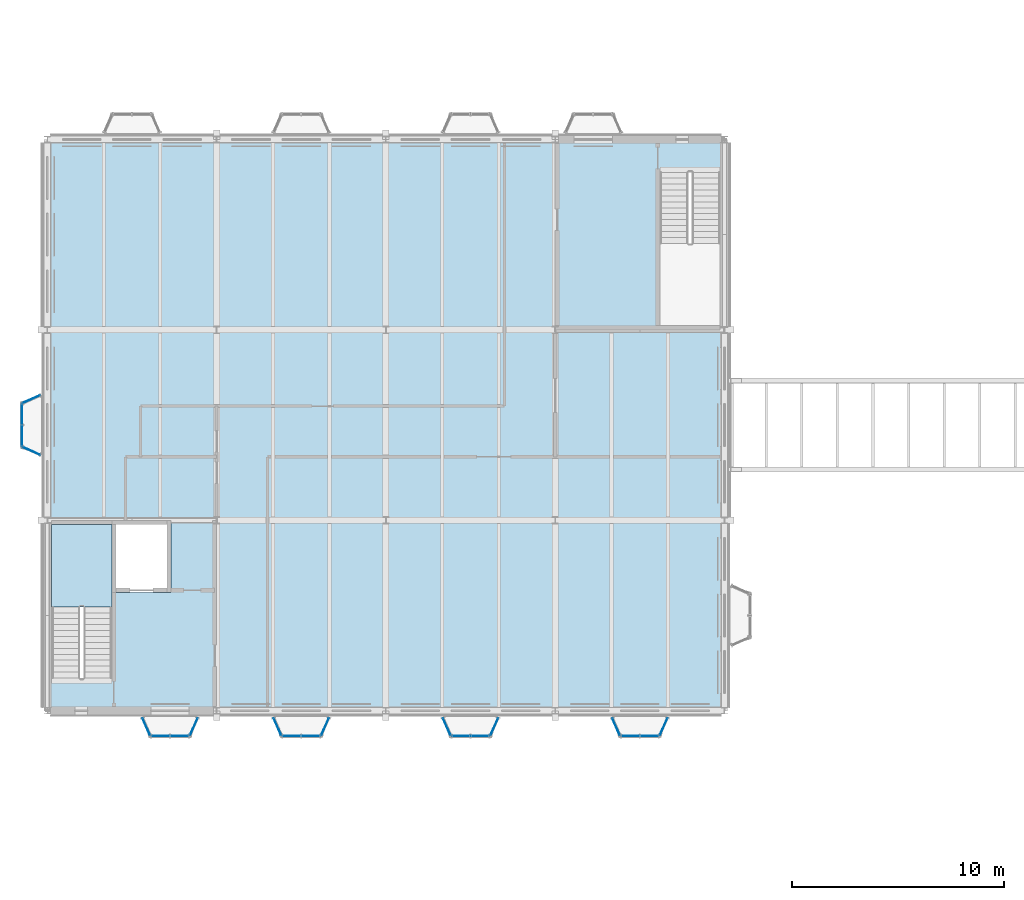
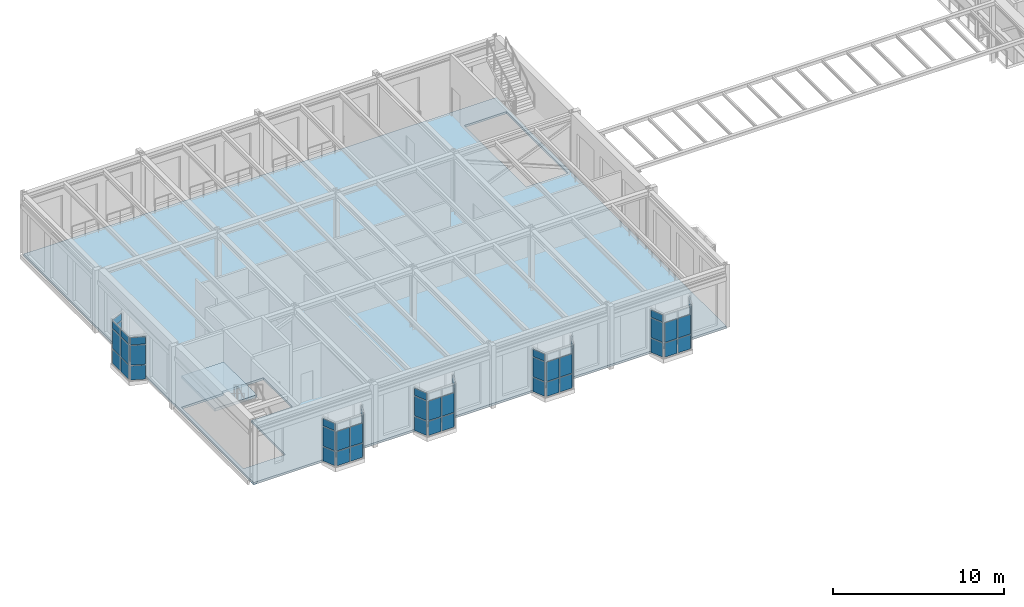
# One storey, part 85 of 153: 52 plates, 2 slabs, 16 elements without a shape of their own.
"""IFC4 building model written with IfcOpenShell, lengths in metres."""

import ifcopenshell
import ifcopenshell.guid

model = None  # the IFC model being written
_history = None  # IfcOwnerHistory: only IFC2X3 demands one
_inside = {}  # id of a spatial element -> (the spatial element, [elements in it])
_under = {}  # id of a project, library or spatial element -> (it, [spatial elements below it])
_declared = {}  # id of a project -> (the project, [libraries it declares])
_typed = {}  # id of a type object -> (the type object, [elements of that type])
_made_of = {}  # id of a material, layer set ... -> (it, [elements and type objects made of it])


def new_model(schema):
    """Start an empty IFC model of exactly this schema.

    Asked for "IFC4X3", IfcOpenShell would pick the latest addendum, in which some entities
    have other attributes; the version numbers below select the first issue.
    IFC2X3 requires an IfcOwnerHistory on every rooted entity: one is made here for all.
    """
    global model, _history
    if schema == "IFC4X3":
        model = ifcopenshell.file(schema_version=(4, 3, 0, 0))
    else:
        model = ifcopenshell.file(schema=schema)
    _inside.clear()
    _under.clear()
    _declared.clear()
    _typed.clear()
    _made_of.clear()
    _history = None
    if model.schema == "IFC2X3":
        org = make("IfcOrganization", Name="unknown")
        user = make(
            "IfcPersonAndOrganization",
            ThePerson=make("IfcPerson", FamilyName="unknown"),
            TheOrganization=org,
        )
        app = make(
            "IfcApplication",
            ApplicationDeveloper=org,
            Version="unknown",
            ApplicationFullName="unknown",
            ApplicationIdentifier="unknown",
        )
        _history = make(
            "IfcOwnerHistory",
            OwningUser=user,
            OwningApplication=app,
            ChangeAction="ADDED",
            CreationDate=0,
        )
    return model


def make(cls, **values):
    """One entity of the class cls with the attributes given. An attribute that is None is left unset."""
    return model.create_entity(
        cls, **{name: value for name, value in values.items() if value is not None}
    )


def rooted(cls, **values):
    """An entity with a GlobalId (a new one), such as an element, a storey or a relation."""
    return make(cls, GlobalId=ifcopenshell.guid.new(), OwnerHistory=_history, **values)


def si_unit(unit_type, name, prefix=None):
    """IfcSIUnit, for example si_unit("LENGTHUNIT", "METRE", prefix="MILLI")."""
    return make("IfcSIUnit", UnitType=unit_type, Prefix=prefix, Name=name)


def assignment(units):
    """IfcUnitAssignment: the units of a project."""
    return None if units is None else make("IfcUnitAssignment", Units=units)


def point(xyz):
    """IfcCartesianPoint."""
    return None if xyz is None else make("IfcCartesianPoint", Coordinates=xyz)


def direction(xyz):
    """IfcDirection."""
    return None if xyz is None else make("IfcDirection", DirectionRatios=xyz)


def frame(location, z_axis=None, x_axis=None):
    """IfcAxis2Placement3D, a coordinate frame: its origin and axes. An axis left out is left unset."""
    return make(
        "IfcAxis2Placement3D",
        Location=point(location),
        Axis=direction(z_axis),
        RefDirection=direction(x_axis),
    )


def frame_2d(location, x_axis=None):
    """IfcAxis2Placement2D, a coordinate frame in the plane: its origin and x axis."""
    return make(
        "IfcAxis2Placement2D", Location=point(location), RefDirection=direction(x_axis)
    )


def origin():
    """The frame at (0, 0, 0) with its axes left unset."""
    return frame((0.0, 0.0, 0.0))


def origin_2d():
    """The frame at (0, 0) in the plane with its x axis left unset."""
    return frame_2d((0.0, 0.0))


def place(relative_to, where):
    """IfcLocalPlacement: puts the frame where relative to a parent placement (None: the world)."""
    return make(
        "IfcLocalPlacement", PlacementRelTo=relative_to, RelativePlacement=where
    )


def context(
    kind, dimensions, precision=None, world=None, true_north=None, identifier=None
):
    """IfcGeometricRepresentationContext, for example the 3D "Model" context."""
    return make(
        "IfcGeometricRepresentationContext",
        ContextIdentifier=identifier,
        ContextType=kind,
        CoordinateSpaceDimension=dimensions,
        Precision=precision,
        WorldCoordinateSystem=world,
        TrueNorth=true_north,
    )


def subcontext(parent, identifier, kind, view, scale=None):
    """IfcGeometricRepresentationSubContext, for example "Body" below "Model"."""
    return make(
        "IfcGeometricRepresentationSubContext",
        ContextIdentifier=identifier,
        ContextType=kind,
        ParentContext=parent,
        TargetScale=scale,
        TargetView=view,
    )


def project(units=None, contexts=None):
    """IfcProject with its units and contexts."""
    return rooted(
        "IfcProject",
        Name="project",
        RepresentationContexts=contexts,
        UnitsInContext=assignment(units),
    )


def spatial(cls, under=None, at=None, **own):
    """A site, building, storey or space (cls), placed at a placement, below another one or the project."""
    s = rooted(cls, ObjectPlacement=at, **own)
    if under is not None:
        _under.setdefault(under.id(), (under, []))[1].append(s)
    return s


def polyline(points):
    """IfcPolyline through the points."""
    return make("IfcPolyline", Points=[point(p) for p in points])


def profile(cls, at=None, kind="AREA", **sizes):
    """A parametric profile (cls). Its sizes go by their IFC names, for example OverallWidth=200.0."""
    return make(cls, ProfileType=kind, Position=at, **sizes)


def rectangle(**sizes):
    """IfcRectangleProfileDef."""
    return profile("IfcRectangleProfileDef", **sizes)


def outline(outer, holes=None, kind="AREA"):
    """IfcArbitraryClosedProfileDef: a profile drawn as a closed curve; with holes, ...WithVoids."""
    if holes is None:
        return make("IfcArbitraryClosedProfileDef", ProfileType=kind, OuterCurve=outer)
    return make(
        "IfcArbitraryProfileDefWithVoids",
        ProfileType=kind,
        OuterCurve=outer,
        InnerCurves=holes,
    )


def extrude(swept, where, along, depth):
    """IfcExtrudedAreaSolid: the profile swept, set in the frame where, extruded along a direction by depth."""
    return make(
        "IfcExtrudedAreaSolid",
        SweptArea=swept,
        Position=where,
        ExtrudedDirection=direction(along),
        Depth=depth,
    )


def shape(context_of_items, identifier, shape_type, items):
    """IfcShapeRepresentation: the items that make up one representation, for example the "Body"."""
    return make(
        "IfcShapeRepresentation",
        ContextOfItems=context_of_items,
        RepresentationIdentifier=identifier,
        RepresentationType=shape_type,
        Items=items,
    )


def material(Name=None, Category=None):
    """IfcMaterial."""
    return make("IfcMaterial", Name=Name, Category=Category)


def layer(
    of_material, thickness, ventilated=None, Name=None, Category=None, Priority=None
):
    """IfcMaterialLayer: one layer of a wall or slab, of a material (None: an air gap)."""
    return make(
        "IfcMaterialLayer",
        Material=of_material,
        LayerThickness=thickness,
        IsVentilated=ventilated,
        Name=Name,
        Category=Category,
        Priority=Priority,
    )


def layer_set(layers, Name=None):
    """IfcMaterialLayerSet."""
    return make("IfcMaterialLayerSet", MaterialLayers=layers, LayerSetName=Name)


def made_of(thing, what):
    """Note that an element or type object is made of a material, layer set ...; save() writes the relation."""
    if what is not None:
        _made_of.setdefault(what.id(), (what, []))[1].append(thing)
    return thing


def type_object(cls, material=None, **own):
    """A type object (cls), such as IfcWallType, which elements share."""
    return made_of(rooted(cls, **own), material)


def element(
    cls,
    number,
    at=None,
    inside=None,
    cuts=None,
    type_object=None,
    material=None,
    context=None,
    identifier="Body",
    shape_type=None,
    held_by="IfcProductDefinitionShape",
    body=None,
    shapes=None,
    **own,
):
    """One element of the class cls, such as IfcWall. Its Tag is "e" and its number.

    at: its placement. inside: the storey or other place that contains it. cuts: it is an
    opening in that element (IfcRelVoidsElement). A single representation is given by context,
    identifier, shape_type and body (its items); several are given by shapes. held_by: the class
    of the entity that holds the representations. save() writes the other relations.
    """
    e = rooted(cls, Tag="e%d" % number, ObjectPlacement=at, **own)
    if body is not None:
        shapes = [shape(context, identifier, shape_type, body)]
    if shapes is not None:
        e.Representation = make(held_by, Representations=shapes)
    if inside is not None:
        _inside.setdefault(inside.id(), (inside, []))[1].append(e)
    if cuts is not None:
        rooted(
            "IfcRelVoidsElement", RelatingBuildingElement=cuts, RelatedOpeningElement=e
        )
    if type_object is not None:
        _typed.setdefault(type_object.id(), (type_object, []))[1].append(e)
    return made_of(e, material)


def aggregate(whole, parts):
    """IfcRelAggregates: a whole, such as a stair, and the parts it consists of."""
    return rooted("IfcRelAggregates", RelatingObject=whole, RelatedObjects=parts)


def save(model, path):
    """Write the relations noted so far, then the file.

    IfcRelAggregates (storeys below a building ...), IfcRelContainedInSpatialStructure (elements
    in a storey), IfcRelDefinesByType, IfcRelAssociatesMaterial and IfcRelDeclares: one each for
    every whole, place, type object, material and project.
    """
    for whole, parts in _under.values():
        aggregate(whole, parts)
    for where, things in _inside.values():
        rooted(
            "IfcRelContainedInSpatialStructure",
            RelatedElements=things,
            RelatingStructure=where,
        )
    for kind, things in _typed.values():
        rooted("IfcRelDefinesByType", RelatedObjects=things, RelatingType=kind)
    for what, things in _made_of.values():
        rooted("IfcRelAssociatesMaterial", RelatedObjects=things, RelatingMaterial=what)
    for by, libraries in _declared.values():
        rooted("IfcRelDeclares", RelatingContext=by, RelatedDefinitions=libraries)
    model.write(path)


model = new_model("IFC4")

# Units and contexts
model_context = context("Model", 3, precision=1e-05, world=origin(), true_north=direction((0.0, 1.0)))
body_context = subcontext(model_context, "Body", "Model", "MODEL_VIEW")
ifc_project = project(units=[si_unit("LENGTHUNIT", "METRE"), si_unit("AREAUNIT", "SQUARE_METRE"), si_unit("VOLUMEUNIT", "CUBIC_METRE"), si_unit("PLANEANGLEUNIT", "RADIAN"), si_unit("MASSUNIT", "GRAM", prefix="KILO")], contexts=[model_context])

# Site, building, storey
site_placement = place(None, origin())
site = spatial("IfcSite", under=ifc_project, at=site_placement, CompositionType="ELEMENT")
building_placement = place(site_placement, origin())
building = spatial("IfcBuilding", under=site, at=building_placement, Name="Kallimachos Central Library", CompositionType="ELEMENT")
storey_placement = place(building_placement, frame((0.0, 0.0, 5.39990234375)))
storey = spatial("IfcBuildingStorey", under=building, at=storey_placement, Name="L01", CompositionType="ELEMENT", Elevation=5.39990234375)

# Slab
ifc_material_1 = material(Name="Composite slab C30/37 on steel deck", Category="concrete")
ifc_layer_1 = layer(ifc_material_1, 0.14990234375)
ifc_layer_set_1 = layer_set([ifc_layer_1], Name="Composite floor slab 150")
slab_type_1 = type_object("IfcSlabType", Name="Composite floor slab 150", PredefinedType="FLOOR", material=ifc_layer_set_1)
slab_1_placement = place(storey_placement, frame((0.0, 0.0, -0.14990234375)))
element("IfcSlab", 1, at=slab_1_placement, inside=storey, type_object=slab_type_1, Name="V2-SLB-L01-001", PredefinedType="FLOOR", context=body_context, shape_type="SweptSolid", body=[
    extrude(outline(polyline([(6.0, 114.0), (38.0, 114.0), (38.0, 87.0), (6.0, 87.0), (6.0, 114.0)]), holes=[polyline([(9.050048828125, 88.553955078125), (9.050048828125, 92.60009765625), (11.85009765625, 92.60009765625), (11.85009765625, 96.0), (9.050048828125, 96.0), (9.050048828125, 95.800048828125), (6.199951171875, 95.800048828125), (6.199951171875, 88.553955078125), (9.050048828125, 88.553955078125)]), polyline([(37.800048828125, 112.446044921875), (34.949951171875, 112.446044921875), (34.949951171875, 105.199951171875), (37.800048828125, 105.199951171875), (37.800048828125, 112.446044921875)])]), origin(), (0.0, 0.0, 1.0), 0.14990234375),
])

# Curtain wall, plates
ifc_material_2 = material(Name="Laminated glass in anodised aluminium", Category="aluminium")
curtain_wall_type = type_object("IfcCurtainWallType", Name="Foyer curtain wall", PredefinedType="NOTDEFINED", material=ifc_material_2)
curtain_wall_1_placement = place(storey_placement, origin())
curtain_wall_1 = element("IfcCurtainWall", 2, at=curtain_wall_1_placement, inside=storey, type_object=curtain_wall_type, Name="Tribune bay return west", PredefinedType="NOTDEFINED")
ifc_material_3 = material(Name="Laminated glass", Category="glass")
ifc_layer_2 = layer(ifc_material_3, 0.028076171875)
ifc_layer_set_2 = layer_set([ifc_layer_2], Name="Curtain wall glass panel 28")
plate_type = type_object("IfcPlateType", Name="Curtain wall glass panel 28", PredefinedType="CURTAIN_PANEL", material=ifc_layer_set_2)
plate_1_placement = place(storey_placement, frame((10.675048828125, 86.25, 0.2099609375), z_axis=(0.0, 0.0, 1.0), x_axis=(0.40613846606, -0.913811548617, 0.0)))
plate_1 = element("IfcPlate", 3, at=plate_1_placement, type_object=plate_type, Name="CW panel 1.1", PredefinedType="CURTAIN_PANEL", context=body_context, shape_type="SweptSolid", body=[
    extrude(rectangle(XDim=0.864990234375, YDim=0.028076171875, at=origin_2d()), origin(), (0.0, 0.0, 1.0), 1.010009765625),
])
plate_2_placement = place(storey_placement, frame((10.675048828125, 86.25, 1.2802734375), z_axis=(0.0, 0.0, 1.0), x_axis=(0.40613846606, -0.913811548617, 0.0)))
plate_2 = element("IfcPlate", 4, at=plate_2_placement, type_object=plate_type, Name="CW panel 1.2", PredefinedType="CURTAIN_PANEL", context=body_context, shape_type="SweptSolid", body=[
    extrude(rectangle(XDim=0.864990234375, YDim=0.028076171875, at=origin_2d()), origin(), (0.0, 0.0, 1.0), 1.389892578125),
])
plate_3_placement = place(storey_placement, frame((10.675048828125, 86.25, 2.72998046875), z_axis=(0.0, 0.0, 1.0), x_axis=(0.40613846606, -0.913811548617, 0.0)))
plate_3 = element("IfcPlate", 5, at=plate_3_placement, type_object=plate_type, Name="CW panel 1.3", PredefinedType="CURTAIN_PANEL", context=body_context, shape_type="SweptSolid", body=[
    extrude(rectangle(XDim=0.864990234375, YDim=0.028076171875, at=origin_2d()), origin(), (0.0, 0.0, 1.0), 0.510009765625),
])
aggregate(curtain_wall_1, [plate_1, plate_2, plate_3])

curtain_wall_2_placement = place(storey_placement, origin())
curtain_wall_2 = element("IfcCurtainWall", 6, at=curtain_wall_2_placement, inside=storey, type_object=curtain_wall_type, Name="Tribune bay front", PredefinedType="NOTDEFINED")
plate_4_placement = place(storey_placement, frame((11.3525390625, 85.800048828125, 0.2099609375), z_axis=(0.0, 0.0, 1.0), x_axis=(1.0, 0.0, 0.0)))
plate_4 = element("IfcPlate", 7, at=plate_4_placement, type_object=plate_type, Name="CW panel 1.1", PredefinedType="CURTAIN_PANEL", context=body_context, shape_type="SweptSolid", body=[
    extrude(rectangle(XDim=0.8349609375, YDim=0.028076171875, at=origin_2d()), origin(), (0.0, 0.0, 1.0), 1.010009765625),
])
plate_5_placement = place(storey_placement, frame((11.3525390625, 85.800048828125, 1.2802734375), z_axis=(0.0, 0.0, 1.0), x_axis=(1.0, 0.0, 0.0)))
plate_5 = element("IfcPlate", 8, at=plate_5_placement, type_object=plate_type, Name="CW panel 1.2", PredefinedType="CURTAIN_PANEL", context=body_context, shape_type="SweptSolid", body=[
    extrude(rectangle(XDim=0.8349609375, YDim=0.028076171875, at=origin_2d()), origin(), (0.0, 0.0, 1.0), 1.389892578125),
])
plate_6_placement = place(storey_placement, frame((12.24755859375, 85.800048828125, 0.2099609375), z_axis=(0.0, 0.0, 1.0), x_axis=(1.0, 0.0, 0.0)))
plate_6 = element("IfcPlate", 9, at=plate_6_placement, type_object=plate_type, Name="CW panel 2.1", PredefinedType="CURTAIN_PANEL", context=body_context, shape_type="SweptSolid", body=[
    extrude(rectangle(XDim=0.8349609375, YDim=0.028076171875, at=origin_2d()), origin(), (0.0, 0.0, 1.0), 1.010009765625),
])
plate_7_placement = place(storey_placement, frame((12.24755859375, 85.800048828125, 1.2802734375), z_axis=(0.0, 0.0, 1.0), x_axis=(1.0, 0.0, 0.0)))
plate_7 = element("IfcPlate", 10, at=plate_7_placement, type_object=plate_type, Name="CW panel 2.2", PredefinedType="CURTAIN_PANEL", context=body_context, shape_type="SweptSolid", body=[
    extrude(rectangle(XDim=0.8349609375, YDim=0.028076171875, at=origin_2d()), origin(), (0.0, 0.0, 1.0), 1.389892578125),
])
aggregate(curtain_wall_2, [plate_4, plate_5, plate_6, plate_7])

curtain_wall_3_placement = place(storey_placement, origin())
curtain_wall_3 = element("IfcCurtainWall", 11, at=curtain_wall_3_placement, inside=storey, type_object=curtain_wall_type, Name="Tribune bay return east", PredefinedType="NOTDEFINED")
plate_8_placement = place(storey_placement, frame((12.925048828125, 86.25, 0.2099609375), z_axis=(0.0, 0.0, 1.0), x_axis=(0.40613846606, 0.913811548617, 0.0)))
plate_8 = element("IfcPlate", 12, at=plate_8_placement, type_object=plate_type, Name="CW panel 1.1", PredefinedType="CURTAIN_PANEL", context=body_context, shape_type="SweptSolid", body=[
    extrude(rectangle(XDim=0.864990234375, YDim=0.028076171875, at=origin_2d()), origin(), (0.0, 0.0, 1.0), 1.010009765625),
])
plate_9_placement = place(storey_placement, frame((12.925048828125, 86.25, 1.2802734375), z_axis=(0.0, 0.0, 1.0), x_axis=(0.40613846606, 0.913811548617, 0.0)))
plate_9 = element("IfcPlate", 13, at=plate_9_placement, type_object=plate_type, Name="CW panel 1.2", PredefinedType="CURTAIN_PANEL", context=body_context, shape_type="SweptSolid", body=[
    extrude(rectangle(XDim=0.864990234375, YDim=0.028076171875, at=origin_2d()), origin(), (0.0, 0.0, 1.0), 1.389892578125),
])
plate_10_placement = place(storey_placement, frame((12.925048828125, 86.25, 2.72998046875), z_axis=(0.0, 0.0, 1.0), x_axis=(0.40613846606, 0.913811548617, 0.0)))
plate_10 = element("IfcPlate", 14, at=plate_10_placement, type_object=plate_type, Name="CW panel 1.3", PredefinedType="CURTAIN_PANEL", context=body_context, shape_type="SweptSolid", body=[
    extrude(rectangle(XDim=0.864990234375, YDim=0.028076171875, at=origin_2d()), origin(), (0.0, 0.0, 1.0), 0.510009765625),
])
aggregate(curtain_wall_3, [plate_8, plate_9, plate_10])

curtain_wall_4_placement = place(storey_placement, origin())
curtain_wall_4 = element("IfcCurtainWall", 15, at=curtain_wall_4_placement, inside=storey, type_object=curtain_wall_type, Name="Tribune bay return west", PredefinedType="NOTDEFINED")
plate_11_placement = place(storey_placement, frame((16.875, 86.25, 0.2099609375), z_axis=(0.0, 0.0, 1.0), x_axis=(0.40613846606, -0.913811548617, 0.0)))
plate_11 = element("IfcPlate", 16, at=plate_11_placement, type_object=plate_type, Name="CW panel 1.1", PredefinedType="CURTAIN_PANEL", context=body_context, shape_type="SweptSolid", body=[
    extrude(rectangle(XDim=0.864990234375, YDim=0.028076171875, at=origin_2d()), origin(), (0.0, 0.0, 1.0), 1.010009765625),
])
plate_12_placement = place(storey_placement, frame((16.875, 86.25, 1.2802734375), z_axis=(0.0, 0.0, 1.0), x_axis=(0.40613846606, -0.913811548617, 0.0)))
plate_12 = element("IfcPlate", 17, at=plate_12_placement, type_object=plate_type, Name="CW panel 1.2", PredefinedType="CURTAIN_PANEL", context=body_context, shape_type="SweptSolid", body=[
    extrude(rectangle(XDim=0.864990234375, YDim=0.028076171875, at=origin_2d()), origin(), (0.0, 0.0, 1.0), 1.389892578125),
])
plate_13_placement = place(storey_placement, frame((16.875, 86.25, 2.72998046875), z_axis=(0.0, 0.0, 1.0), x_axis=(0.40613846606, -0.913811548617, 0.0)))
plate_13 = element("IfcPlate", 18, at=plate_13_placement, type_object=plate_type, Name="CW panel 1.3", PredefinedType="CURTAIN_PANEL", context=body_context, shape_type="SweptSolid", body=[
    extrude(rectangle(XDim=0.864990234375, YDim=0.028076171875, at=origin_2d()), origin(), (0.0, 0.0, 1.0), 0.510009765625),
])
aggregate(curtain_wall_4, [plate_11, plate_12, plate_13])

curtain_wall_5_placement = place(storey_placement, origin())
curtain_wall_5 = element("IfcCurtainWall", 19, at=curtain_wall_5_placement, inside=storey, type_object=curtain_wall_type, Name="Tribune bay front", PredefinedType="NOTDEFINED")
plate_14_placement = place(storey_placement, frame((17.552490234375, 85.800048828125, 0.2099609375), z_axis=(0.0, 0.0, 1.0), x_axis=(1.0, 0.0, 0.0)))
plate_14 = element("IfcPlate", 20, at=plate_14_placement, type_object=plate_type, Name="CW panel 1.1", PredefinedType="CURTAIN_PANEL", context=body_context, shape_type="SweptSolid", body=[
    extrude(rectangle(XDim=0.8349609375, YDim=0.028076171875, at=origin_2d()), origin(), (0.0, 0.0, 1.0), 1.010009765625),
])
plate_15_placement = place(storey_placement, frame((17.552490234375, 85.800048828125, 1.2802734375), z_axis=(0.0, 0.0, 1.0), x_axis=(1.0, 0.0, 0.0)))
plate_15 = element("IfcPlate", 21, at=plate_15_placement, type_object=plate_type, Name="CW panel 1.2", PredefinedType="CURTAIN_PANEL", context=body_context, shape_type="SweptSolid", body=[
    extrude(rectangle(XDim=0.8349609375, YDim=0.028076171875, at=origin_2d()), origin(), (0.0, 0.0, 1.0), 1.389892578125),
])
plate_16_placement = place(storey_placement, frame((18.447509765625, 85.800048828125, 0.2099609375), z_axis=(0.0, 0.0, 1.0), x_axis=(1.0, 0.0, 0.0)))
plate_16 = element("IfcPlate", 22, at=plate_16_placement, type_object=plate_type, Name="CW panel 2.1", PredefinedType="CURTAIN_PANEL", context=body_context, shape_type="SweptSolid", body=[
    extrude(rectangle(XDim=0.8349609375, YDim=0.028076171875, at=origin_2d()), origin(), (0.0, 0.0, 1.0), 1.010009765625),
])
plate_17_placement = place(storey_placement, frame((18.447509765625, 85.800048828125, 1.2802734375), z_axis=(0.0, 0.0, 1.0), x_axis=(1.0, 0.0, 0.0)))
plate_17 = element("IfcPlate", 23, at=plate_17_placement, type_object=plate_type, Name="CW panel 2.2", PredefinedType="CURTAIN_PANEL", context=body_context, shape_type="SweptSolid", body=[
    extrude(rectangle(XDim=0.8349609375, YDim=0.028076171875, at=origin_2d()), origin(), (0.0, 0.0, 1.0), 1.389892578125),
])
aggregate(curtain_wall_5, [plate_14, plate_15, plate_16, plate_17])

curtain_wall_6_placement = place(storey_placement, origin())
curtain_wall_6 = element("IfcCurtainWall", 24, at=curtain_wall_6_placement, inside=storey, type_object=curtain_wall_type, Name="Tribune bay return east", PredefinedType="NOTDEFINED")
plate_18_placement = place(storey_placement, frame((19.125, 86.25, 0.2099609375), z_axis=(0.0, 0.0, 1.0), x_axis=(0.40613846606, 0.913811548617, 0.0)))
plate_18 = element("IfcPlate", 25, at=plate_18_placement, type_object=plate_type, Name="CW panel 1.1", PredefinedType="CURTAIN_PANEL", context=body_context, shape_type="SweptSolid", body=[
    extrude(rectangle(XDim=0.864990234375, YDim=0.028076171875, at=origin_2d()), origin(), (0.0, 0.0, 1.0), 1.010009765625),
])
plate_19_placement = place(storey_placement, frame((19.125, 86.25, 1.2802734375), z_axis=(0.0, 0.0, 1.0), x_axis=(0.40613846606, 0.913811548617, 0.0)))
plate_19 = element("IfcPlate", 26, at=plate_19_placement, type_object=plate_type, Name="CW panel 1.2", PredefinedType="CURTAIN_PANEL", context=body_context, shape_type="SweptSolid", body=[
    extrude(rectangle(XDim=0.864990234375, YDim=0.028076171875, at=origin_2d()), origin(), (0.0, 0.0, 1.0), 1.389892578125),
])
plate_20_placement = place(storey_placement, frame((19.125, 86.25, 2.72998046875), z_axis=(0.0, 0.0, 1.0), x_axis=(0.40613846606, 0.913811548617, 0.0)))
plate_20 = element("IfcPlate", 27, at=plate_20_placement, type_object=plate_type, Name="CW panel 1.3", PredefinedType="CURTAIN_PANEL", context=body_context, shape_type="SweptSolid", body=[
    extrude(rectangle(XDim=0.864990234375, YDim=0.028076171875, at=origin_2d()), origin(), (0.0, 0.0, 1.0), 0.510009765625),
])
aggregate(curtain_wall_6, [plate_18, plate_19, plate_20])

curtain_wall_7_placement = place(storey_placement, origin())
curtain_wall_7 = element("IfcCurtainWall", 28, at=curtain_wall_7_placement, inside=storey, type_object=curtain_wall_type, Name="Tribune bay return west", PredefinedType="NOTDEFINED")
plate_21_placement = place(storey_placement, frame((24.875, 86.25, 0.2099609375), z_axis=(0.0, 0.0, 1.0), x_axis=(0.40613846606, -0.913811548617, 0.0)))
plate_21 = element("IfcPlate", 29, at=plate_21_placement, type_object=plate_type, Name="CW panel 1.1", PredefinedType="CURTAIN_PANEL", context=body_context, shape_type="SweptSolid", body=[
    extrude(rectangle(XDim=0.864990234375, YDim=0.028076171875, at=origin_2d()), origin(), (0.0, 0.0, 1.0), 1.010009765625),
])
plate_22_placement = place(storey_placement, frame((24.875, 86.25, 1.2802734375), z_axis=(0.0, 0.0, 1.0), x_axis=(0.40613846606, -0.913811548617, 0.0)))
plate_22 = element("IfcPlate", 30, at=plate_22_placement, type_object=plate_type, Name="CW panel 1.2", PredefinedType="CURTAIN_PANEL", context=body_context, shape_type="SweptSolid", body=[
    extrude(rectangle(XDim=0.864990234375, YDim=0.028076171875, at=origin_2d()), origin(), (0.0, 0.0, 1.0), 1.389892578125),
])
plate_23_placement = place(storey_placement, frame((24.875, 86.25, 2.72998046875), z_axis=(0.0, 0.0, 1.0), x_axis=(0.40613846606, -0.913811548617, 0.0)))
plate_23 = element("IfcPlate", 31, at=plate_23_placement, type_object=plate_type, Name="CW panel 1.3", PredefinedType="CURTAIN_PANEL", context=body_context, shape_type="SweptSolid", body=[
    extrude(rectangle(XDim=0.864990234375, YDim=0.028076171875, at=origin_2d()), origin(), (0.0, 0.0, 1.0), 0.510009765625),
])
aggregate(curtain_wall_7, [plate_21, plate_22, plate_23])

curtain_wall_8_placement = place(storey_placement, origin())
curtain_wall_8 = element("IfcCurtainWall", 32, at=curtain_wall_8_placement, inside=storey, type_object=curtain_wall_type, Name="Tribune bay front", PredefinedType="NOTDEFINED")
plate_24_placement = place(storey_placement, frame((25.552490234375, 85.800048828125, 0.2099609375), z_axis=(0.0, 0.0, 1.0), x_axis=(1.0, 0.0, 0.0)))
plate_24 = element("IfcPlate", 33, at=plate_24_placement, type_object=plate_type, Name="CW panel 1.1", PredefinedType="CURTAIN_PANEL", context=body_context, shape_type="SweptSolid", body=[
    extrude(rectangle(XDim=0.8349609375, YDim=0.028076171875, at=origin_2d()), origin(), (0.0, 0.0, 1.0), 1.010009765625),
])
plate_25_placement = place(storey_placement, frame((25.552490234375, 85.800048828125, 1.2802734375), z_axis=(0.0, 0.0, 1.0), x_axis=(1.0, 0.0, 0.0)))
plate_25 = element("IfcPlate", 34, at=plate_25_placement, type_object=plate_type, Name="CW panel 1.2", PredefinedType="CURTAIN_PANEL", context=body_context, shape_type="SweptSolid", body=[
    extrude(rectangle(XDim=0.8349609375, YDim=0.028076171875, at=origin_2d()), origin(), (0.0, 0.0, 1.0), 1.389892578125),
])
plate_26_placement = place(storey_placement, frame((26.447509765625, 85.800048828125, 0.2099609375), z_axis=(0.0, 0.0, 1.0), x_axis=(1.0, 0.0, 0.0)))
plate_26 = element("IfcPlate", 35, at=plate_26_placement, type_object=plate_type, Name="CW panel 2.1", PredefinedType="CURTAIN_PANEL", context=body_context, shape_type="SweptSolid", body=[
    extrude(rectangle(XDim=0.8349609375, YDim=0.028076171875, at=origin_2d()), origin(), (0.0, 0.0, 1.0), 1.010009765625),
])
plate_27_placement = place(storey_placement, frame((26.447509765625, 85.800048828125, 1.2802734375), z_axis=(0.0, 0.0, 1.0), x_axis=(1.0, 0.0, 0.0)))
plate_27 = element("IfcPlate", 36, at=plate_27_placement, type_object=plate_type, Name="CW panel 2.2", PredefinedType="CURTAIN_PANEL", context=body_context, shape_type="SweptSolid", body=[
    extrude(rectangle(XDim=0.8349609375, YDim=0.028076171875, at=origin_2d()), origin(), (0.0, 0.0, 1.0), 1.389892578125),
])
aggregate(curtain_wall_8, [plate_24, plate_25, plate_26, plate_27])

curtain_wall_9_placement = place(storey_placement, origin())
curtain_wall_9 = element("IfcCurtainWall", 37, at=curtain_wall_9_placement, inside=storey, type_object=curtain_wall_type, Name="Tribune bay return east", PredefinedType="NOTDEFINED")
plate_28_placement = place(storey_placement, frame((27.125, 86.25, 0.2099609375), z_axis=(0.0, 0.0, 1.0), x_axis=(0.40613846606, 0.913811548617, 0.0)))
plate_28 = element("IfcPlate", 38, at=plate_28_placement, type_object=plate_type, Name="CW panel 1.1", PredefinedType="CURTAIN_PANEL", context=body_context, shape_type="SweptSolid", body=[
    extrude(rectangle(XDim=0.864990234375, YDim=0.028076171875, at=origin_2d()), origin(), (0.0, 0.0, 1.0), 1.010009765625),
])
plate_29_placement = place(storey_placement, frame((27.125, 86.25, 1.2802734375), z_axis=(0.0, 0.0, 1.0), x_axis=(0.40613846606, 0.913811548617, 0.0)))
plate_29 = element("IfcPlate", 39, at=plate_29_placement, type_object=plate_type, Name="CW panel 1.2", PredefinedType="CURTAIN_PANEL", context=body_context, shape_type="SweptSolid", body=[
    extrude(rectangle(XDim=0.864990234375, YDim=0.028076171875, at=origin_2d()), origin(), (0.0, 0.0, 1.0), 1.389892578125),
])
plate_30_placement = place(storey_placement, frame((27.125, 86.25, 2.72998046875), z_axis=(0.0, 0.0, 1.0), x_axis=(0.40613846606, 0.913811548617, 0.0)))
plate_30 = element("IfcPlate", 40, at=plate_30_placement, type_object=plate_type, Name="CW panel 1.3", PredefinedType="CURTAIN_PANEL", context=body_context, shape_type="SweptSolid", body=[
    extrude(rectangle(XDim=0.864990234375, YDim=0.028076171875, at=origin_2d()), origin(), (0.0, 0.0, 1.0), 0.510009765625),
])
aggregate(curtain_wall_9, [plate_28, plate_29, plate_30])

curtain_wall_10_placement = place(storey_placement, origin())
curtain_wall_10 = element("IfcCurtainWall", 41, at=curtain_wall_10_placement, inside=storey, type_object=curtain_wall_type, Name="Tribune bay return west", PredefinedType="NOTDEFINED")
plate_31_placement = place(storey_placement, frame((32.875, 86.25, 0.2099609375), z_axis=(0.0, 0.0, 1.0), x_axis=(0.40613846606, -0.913811548617, 0.0)))
plate_31 = element("IfcPlate", 42, at=plate_31_placement, type_object=plate_type, Name="CW panel 1.1", PredefinedType="CURTAIN_PANEL", context=body_context, shape_type="SweptSolid", body=[
    extrude(rectangle(XDim=0.864990234375, YDim=0.028076171875, at=origin_2d()), origin(), (0.0, 0.0, 1.0), 1.010009765625),
])
plate_32_placement = place(storey_placement, frame((32.875, 86.25, 1.2802734375), z_axis=(0.0, 0.0, 1.0), x_axis=(0.40613846606, -0.913811548617, 0.0)))
plate_32 = element("IfcPlate", 43, at=plate_32_placement, type_object=plate_type, Name="CW panel 1.2", PredefinedType="CURTAIN_PANEL", context=body_context, shape_type="SweptSolid", body=[
    extrude(rectangle(XDim=0.864990234375, YDim=0.028076171875, at=origin_2d()), origin(), (0.0, 0.0, 1.0), 1.389892578125),
])
plate_33_placement = place(storey_placement, frame((32.875, 86.25, 2.72998046875), z_axis=(0.0, 0.0, 1.0), x_axis=(0.40613846606, -0.913811548617, 0.0)))
plate_33 = element("IfcPlate", 44, at=plate_33_placement, type_object=plate_type, Name="CW panel 1.3", PredefinedType="CURTAIN_PANEL", context=body_context, shape_type="SweptSolid", body=[
    extrude(rectangle(XDim=0.864990234375, YDim=0.028076171875, at=origin_2d()), origin(), (0.0, 0.0, 1.0), 0.510009765625),
])
aggregate(curtain_wall_10, [plate_31, plate_32, plate_33])

curtain_wall_11_placement = place(storey_placement, origin())
curtain_wall_11 = element("IfcCurtainWall", 45, at=curtain_wall_11_placement, inside=storey, type_object=curtain_wall_type, Name="Tribune bay front", PredefinedType="NOTDEFINED")
plate_34_placement = place(storey_placement, frame((33.552490234375, 85.800048828125, 0.2099609375), z_axis=(0.0, 0.0, 1.0), x_axis=(1.0, 0.0, 0.0)))
plate_34 = element("IfcPlate", 46, at=plate_34_placement, type_object=plate_type, Name="CW panel 1.1", PredefinedType="CURTAIN_PANEL", context=body_context, shape_type="SweptSolid", body=[
    extrude(rectangle(XDim=0.8349609375, YDim=0.028076171875, at=origin_2d()), origin(), (0.0, 0.0, 1.0), 1.010009765625),
])
plate_35_placement = place(storey_placement, frame((33.552490234375, 85.800048828125, 1.2802734375), z_axis=(0.0, 0.0, 1.0), x_axis=(1.0, 0.0, 0.0)))
plate_35 = element("IfcPlate", 47, at=plate_35_placement, type_object=plate_type, Name="CW panel 1.2", PredefinedType="CURTAIN_PANEL", context=body_context, shape_type="SweptSolid", body=[
    extrude(rectangle(XDim=0.8349609375, YDim=0.028076171875, at=origin_2d()), origin(), (0.0, 0.0, 1.0), 1.389892578125),
])
plate_36_placement = place(storey_placement, frame((34.447509765625, 85.800048828125, 0.2099609375), z_axis=(0.0, 0.0, 1.0), x_axis=(1.0, 0.0, 0.0)))
plate_36 = element("IfcPlate", 48, at=plate_36_placement, type_object=plate_type, Name="CW panel 2.1", PredefinedType="CURTAIN_PANEL", context=body_context, shape_type="SweptSolid", body=[
    extrude(rectangle(XDim=0.8349609375, YDim=0.028076171875, at=origin_2d()), origin(), (0.0, 0.0, 1.0), 1.010009765625),
])
plate_37_placement = place(storey_placement, frame((34.447509765625, 85.800048828125, 1.2802734375), z_axis=(0.0, 0.0, 1.0), x_axis=(1.0, 0.0, 0.0)))
plate_37 = element("IfcPlate", 49, at=plate_37_placement, type_object=plate_type, Name="CW panel 2.2", PredefinedType="CURTAIN_PANEL", context=body_context, shape_type="SweptSolid", body=[
    extrude(rectangle(XDim=0.8349609375, YDim=0.028076171875, at=origin_2d()), origin(), (0.0, 0.0, 1.0), 1.389892578125),
])
aggregate(curtain_wall_11, [plate_34, plate_35, plate_36, plate_37])

curtain_wall_12_placement = place(storey_placement, origin())
curtain_wall_12 = element("IfcCurtainWall", 50, at=curtain_wall_12_placement, inside=storey, type_object=curtain_wall_type, Name="Tribune bay return east", PredefinedType="NOTDEFINED")
plate_38_placement = place(storey_placement, frame((35.125, 86.25, 0.2099609375), z_axis=(0.0, 0.0, 1.0), x_axis=(0.40613846606, 0.913811548617, 0.0)))
plate_38 = element("IfcPlate", 51, at=plate_38_placement, type_object=plate_type, Name="CW panel 1.1", PredefinedType="CURTAIN_PANEL", context=body_context, shape_type="SweptSolid", body=[
    extrude(rectangle(XDim=0.864990234375, YDim=0.028076171875, at=origin_2d()), origin(), (0.0, 0.0, 1.0), 1.010009765625),
])
plate_39_placement = place(storey_placement, frame((35.125, 86.25, 1.2802734375), z_axis=(0.0, 0.0, 1.0), x_axis=(0.40613846606, 0.913811548617, 0.0)))
plate_39 = element("IfcPlate", 52, at=plate_39_placement, type_object=plate_type, Name="CW panel 1.2", PredefinedType="CURTAIN_PANEL", context=body_context, shape_type="SweptSolid", body=[
    extrude(rectangle(XDim=0.864990234375, YDim=0.028076171875, at=origin_2d()), origin(), (0.0, 0.0, 1.0), 1.389892578125),
])
plate_40_placement = place(storey_placement, frame((35.125, 86.25, 2.72998046875), z_axis=(0.0, 0.0, 1.0), x_axis=(0.40613846606, 0.913811548617, 0.0)))
plate_40 = element("IfcPlate", 53, at=plate_40_placement, type_object=plate_type, Name="CW panel 1.3", PredefinedType="CURTAIN_PANEL", context=body_context, shape_type="SweptSolid", body=[
    extrude(rectangle(XDim=0.864990234375, YDim=0.028076171875, at=origin_2d()), origin(), (0.0, 0.0, 1.0), 0.510009765625),
])
aggregate(curtain_wall_12, [plate_38, plate_39, plate_40])

curtain_wall_13_placement = place(storey_placement, origin())
curtain_wall_13 = element("IfcCurtainWall", 54, at=curtain_wall_13_placement, inside=storey, type_object=curtain_wall_type, Name="Tribune bay return west", PredefinedType="NOTDEFINED")
plate_41_placement = place(storey_placement, frame((5.25, 99.27490234375, 0.2099609375), z_axis=(0.0, 0.0, 1.0), x_axis=(-0.913811548617, 0.40613846606, 0.0)))
plate_41 = element("IfcPlate", 55, at=plate_41_placement, type_object=plate_type, Name="CW panel 1.1", PredefinedType="CURTAIN_PANEL", context=body_context, shape_type="SweptSolid", body=[
    extrude(rectangle(XDim=0.864990234375, YDim=0.028076171875, at=origin_2d()), origin(), (0.0, 0.0, 1.0), 1.010009765625),
])
plate_42_placement = place(storey_placement, frame((5.25, 99.27490234375, 1.2802734375), z_axis=(0.0, 0.0, 1.0), x_axis=(-0.913811548617, 0.40613846606, 0.0)))
plate_42 = element("IfcPlate", 56, at=plate_42_placement, type_object=plate_type, Name="CW panel 1.2", PredefinedType="CURTAIN_PANEL", context=body_context, shape_type="SweptSolid", body=[
    extrude(rectangle(XDim=0.864990234375, YDim=0.028076171875, at=origin_2d()), origin(), (0.0, 0.0, 1.0), 1.389892578125),
])
plate_43_placement = place(storey_placement, frame((5.25, 99.27490234375, 2.72998046875), z_axis=(0.0, 0.0, 1.0), x_axis=(-0.913811548617, 0.40613846606, 0.0)))
plate_43 = element("IfcPlate", 57, at=plate_43_placement, type_object=plate_type, Name="CW panel 1.3", PredefinedType="CURTAIN_PANEL", context=body_context, shape_type="SweptSolid", body=[
    extrude(rectangle(XDim=0.864990234375, YDim=0.028076171875, at=origin_2d()), origin(), (0.0, 0.0, 1.0), 0.510009765625),
])
aggregate(curtain_wall_13, [plate_41, plate_42, plate_43])

curtain_wall_14_placement = place(storey_placement, origin())
curtain_wall_14 = element("IfcCurtainWall", 58, at=curtain_wall_14_placement, inside=storey, type_object=curtain_wall_type, Name="Tribune bay front", PredefinedType="NOTDEFINED")
plate_44_placement = place(storey_placement, frame((4.800048828125, 100.00244140625, 0.2099609375), z_axis=(0.0, 0.0, 1.0), x_axis=(0.0, 1.0, 0.0)))
plate_44 = element("IfcPlate", 59, at=plate_44_placement, type_object=plate_type, Name="CW panel 1.1", PredefinedType="CURTAIN_PANEL", context=body_context, shape_type="SweptSolid", body=[
    extrude(rectangle(XDim=0.93505859375, YDim=0.028076171875, at=origin_2d()), origin(), (0.0, 0.0, 1.0), 1.010009765625),
])
plate_45_placement = place(storey_placement, frame((4.800048828125, 100.00244140625, 1.2802734375), z_axis=(0.0, 0.0, 1.0), x_axis=(0.0, 1.0, 0.0)))
plate_45 = element("IfcPlate", 60, at=plate_45_placement, type_object=plate_type, Name="CW panel 1.2", PredefinedType="CURTAIN_PANEL", context=body_context, shape_type="SweptSolid", body=[
    extrude(rectangle(XDim=0.93505859375, YDim=0.028076171875, at=origin_2d()), origin(), (0.0, 0.0, 1.0), 1.389892578125),
])
plate_46_placement = place(storey_placement, frame((4.800048828125, 100.00244140625, 2.72998046875), z_axis=(0.0, 0.0, 1.0), x_axis=(0.0, 1.0, 0.0)))
plate_46 = element("IfcPlate", 61, at=plate_46_placement, type_object=plate_type, Name="CW panel 1.3", PredefinedType="CURTAIN_PANEL", context=body_context, shape_type="SweptSolid", body=[
    extrude(rectangle(XDim=0.93505859375, YDim=0.028076171875, at=origin_2d()), origin(), (0.0, 0.0, 1.0), 0.510009765625),
])
plate_47_placement = place(storey_placement, frame((4.800048828125, 100.99755859375, 0.2099609375), z_axis=(0.0, 0.0, 1.0), x_axis=(0.0, 1.0, 0.0)))
plate_47 = element("IfcPlate", 62, at=plate_47_placement, type_object=plate_type, Name="CW panel 2.1", PredefinedType="CURTAIN_PANEL", context=body_context, shape_type="SweptSolid", body=[
    extrude(rectangle(XDim=0.93505859375, YDim=0.028076171875, at=origin_2d()), origin(), (0.0, 0.0, 1.0), 1.010009765625),
])
plate_48_placement = place(storey_placement, frame((4.800048828125, 100.99755859375, 1.2802734375), z_axis=(0.0, 0.0, 1.0), x_axis=(0.0, 1.0, 0.0)))
plate_48 = element("IfcPlate", 63, at=plate_48_placement, type_object=plate_type, Name="CW panel 2.2", PredefinedType="CURTAIN_PANEL", context=body_context, shape_type="SweptSolid", body=[
    extrude(rectangle(XDim=0.93505859375, YDim=0.028076171875, at=origin_2d()), origin(), (0.0, 0.0, 1.0), 1.389892578125),
])
plate_49_placement = place(storey_placement, frame((4.800048828125, 100.99755859375, 2.72998046875), z_axis=(0.0, 0.0, 1.0), x_axis=(0.0, 1.0, 0.0)))
plate_49 = element("IfcPlate", 64, at=plate_49_placement, type_object=plate_type, Name="CW panel 2.3", PredefinedType="CURTAIN_PANEL", context=body_context, shape_type="SweptSolid", body=[
    extrude(rectangle(XDim=0.93505859375, YDim=0.028076171875, at=origin_2d()), origin(), (0.0, 0.0, 1.0), 0.510009765625),
])
aggregate(curtain_wall_14, [plate_44, plate_45, plate_46, plate_47, plate_48, plate_49])

curtain_wall_15_placement = place(storey_placement, origin())
curtain_wall_15 = element("IfcCurtainWall", 65, at=curtain_wall_15_placement, inside=storey, type_object=curtain_wall_type, Name="Tribune bay return east", PredefinedType="NOTDEFINED")
plate_50_placement = place(storey_placement, frame((5.25, 101.72509765625, 0.2099609375), z_axis=(0.0, 0.0, 1.0), x_axis=(0.913811548617, 0.40613846606, 0.0)))
plate_50 = element("IfcPlate", 66, at=plate_50_placement, type_object=plate_type, Name="CW panel 1.1", PredefinedType="CURTAIN_PANEL", context=body_context, shape_type="SweptSolid", body=[
    extrude(rectangle(XDim=0.864990234375, YDim=0.028076171875, at=origin_2d()), origin(), (0.0, 0.0, 1.0), 1.010009765625),
])
plate_51_placement = place(storey_placement, frame((5.25, 101.72509765625, 1.2802734375), z_axis=(0.0, 0.0, 1.0), x_axis=(0.913811548617, 0.40613846606, 0.0)))
plate_51 = element("IfcPlate", 67, at=plate_51_placement, type_object=plate_type, Name="CW panel 1.2", PredefinedType="CURTAIN_PANEL", context=body_context, shape_type="SweptSolid", body=[
    extrude(rectangle(XDim=0.864990234375, YDim=0.028076171875, at=origin_2d()), origin(), (0.0, 0.0, 1.0), 1.389892578125),
])
plate_52_placement = place(storey_placement, frame((5.25, 101.72509765625, 2.72998046875), z_axis=(0.0, 0.0, 1.0), x_axis=(0.913811548617, 0.40613846606, 0.0)))
plate_52 = element("IfcPlate", 68, at=plate_52_placement, type_object=plate_type, Name="CW panel 1.3", PredefinedType="CURTAIN_PANEL", context=body_context, shape_type="SweptSolid", body=[
    extrude(rectangle(XDim=0.864990234375, YDim=0.028076171875, at=origin_2d()), origin(), (0.0, 0.0, 1.0), 0.510009765625),
])
aggregate(curtain_wall_15, [plate_50, plate_51, plate_52])

# Stair, slab
ifc_material_4 = material(Name="Steel S355J2", Category="steel")
stair_type = type_object("IfcStairType", Name="Escape stair half-turn", PredefinedType="HALF_TURN_STAIR", material=ifc_material_4)
stair_placement = place(storey_placement, origin())
stair = element("IfcStair", 69, at=stair_placement, inside=storey, type_object=stair_type, Name="L01 stair ST5", PredefinedType="HALF_TURN_STAIR")
ifc_material_5 = material(Name="Concrete C30/37", Category="concrete")
ifc_layer_3 = layer(ifc_material_5, 0.199951171875)
ifc_layer_set_3 = layer_set([ifc_layer_3], Name="Stair landing 200")
slab_type_2 = type_object("IfcSlabType", Name="Stair landing 200", PredefinedType="LANDING", material=ifc_layer_set_3)
slab_2_placement = place(storey_placement, frame((0.0, 0.0, 2.050048828125)))
slab_2 = element("IfcSlab", 70, at=slab_2_placement, type_object=slab_type_2, Name="ST5 landing 1", PredefinedType="LANDING", context=body_context, shape_type="SweptSolid", body=[
    extrude(outline(polyline([(9.050048828125, 91.909912109375), (9.050048828125, 95.800048828125), (6.199951171875, 95.800048828125), (6.199951171875, 91.909912109375), (9.050048828125, 91.909912109375)])), origin(), (0.0, 0.0, 1.0), 0.199951171875),
])
aggregate(stair, [slab_2])

save(model, "model.ifc")
